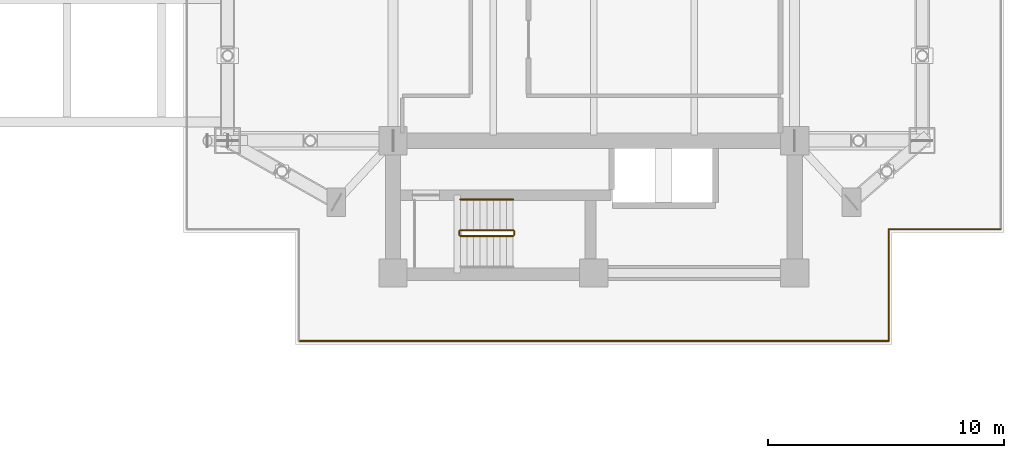
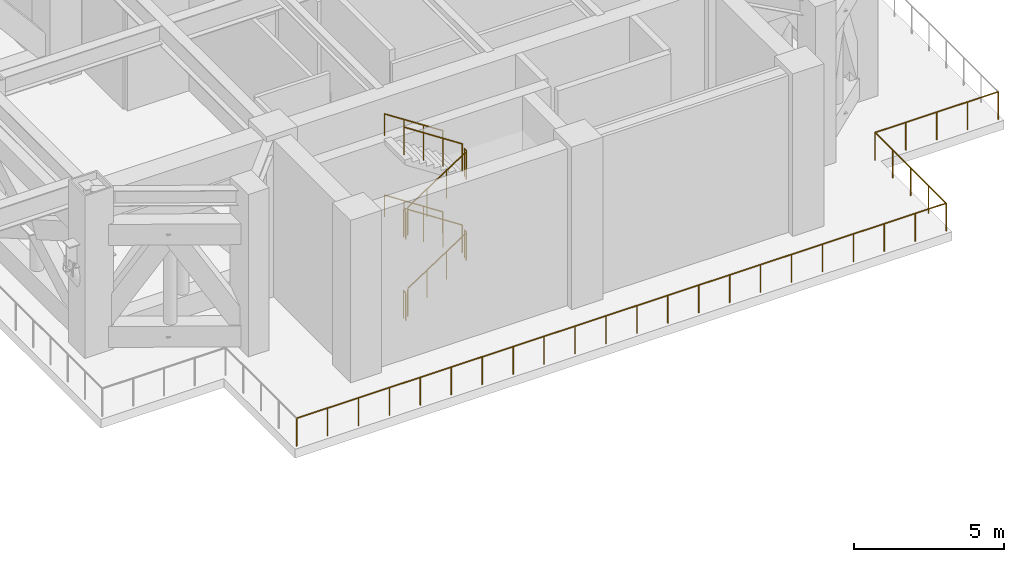
# One storey, part 19 of 21: 13 railings.
"""IFC4 building model written with IfcOpenShell, lengths in metres."""

from ifc_helpers import new_model, si_unit, direction, frame, origin, origin_2d, place, context, subcontext, project, spatial, circle, extrude, material, type_object, element, save


model = new_model("IFC4")

# Units and contexts
model_context = context("Model", 3, precision=1e-05, world=origin(), true_north=direction((0.0, 1.0)))
body_context = subcontext(model_context, "Body", "Model", "MODEL_VIEW")
ifc_project = project(units=[si_unit("LENGTHUNIT", "METRE"), si_unit("AREAUNIT", "SQUARE_METRE"), si_unit("VOLUMEUNIT", "CUBIC_METRE"), si_unit("PLANEANGLEUNIT", "RADIAN"), si_unit("MASSUNIT", "GRAM", prefix="KILO")], contexts=[model_context])

# Site, building, storey
site_placement = place(None, origin())
site = spatial("IfcSite", under=ifc_project, at=site_placement, CompositionType="ELEMENT")
building_placement = place(site_placement, origin())
building = spatial("IfcBuilding", under=site, at=building_placement, Name="Mirazonda Arch Towers", CompositionType="ELEMENT")
storey_placement = place(building_placement, frame((0.0, 0.0, 81.800048828125)))
storey = spatial("IfcBuildingStorey", under=building, at=storey_placement, Name="L23", CompositionType="ELEMENT", Elevation=81.800048828125)

# Railings
ifc_material = material(Name="Architectural Brushed Steel S355", Category="steel")
railing_type_1 = type_object("IfcRailingType", Name="GUARD-EXT-1150", PredefinedType="GUARDRAIL", material=ifc_material)
railing_1_placement = place(storey_placement, frame((64.013916015625, 12.322509765625, 0.0)))
element("IfcRailing", 1, at=railing_1_placement, inside=storey, type_object=railing_type_1, Name="L23 T2 Open Wind-Portal Perimeter Guard 01", PredefinedType="GUARDRAIL", context=body_context, shape_type="SweptSolid", body=[
    extrude(circle(Radius=0.02392578125, at=origin_2d()), frame((0.0, 0.0, 1.1259765625), z_axis=(1.0, 0.0, 0.0), x_axis=(0.0, 1.0, 0.0)), (0.0, 0.0, 1.0), 24.97216796875),
    extrude(circle(Radius=0.02099609375, at=origin_2d()), origin(), (0.0, 0.0, 1.0), 1.101806640625),
    extrude(circle(Radius=0.02099609375, at=origin_2d()), frame((1.189208984375, 0.0, 0.0)), (0.0, 0.0, 1.0), 1.101806640625),
    extrude(circle(Radius=0.02099609375, at=origin_2d()), frame((2.37841796875, 0.0, 0.0)), (0.0, 0.0, 1.0), 1.101806640625),
    extrude(circle(Radius=0.02099609375, at=origin_2d()), frame((3.5673828125, 0.0, 0.0)), (0.0, 0.0, 1.0), 1.101806640625),
    extrude(circle(Radius=0.02099609375, at=origin_2d()), frame((4.756591796875, 0.0, 0.0)), (0.0, 0.0, 1.0), 1.101806640625),
    extrude(circle(Radius=0.02099609375, at=origin_2d()), frame((5.94580078125, 0.0, 0.0)), (0.0, 0.0, 1.0), 1.101806640625),
    extrude(circle(Radius=0.02099609375, at=origin_2d()), frame((7.135009765625, 0.0, 0.0)), (0.0, 0.0, 1.0), 1.101806640625),
    extrude(circle(Radius=0.02099609375, at=origin_2d()), frame((8.323974609375, 0.0, 0.0)), (0.0, 0.0, 1.0), 1.101806640625),
    extrude(circle(Radius=0.02099609375, at=origin_2d()), frame((9.51318359375, 0.0, 0.0)), (0.0, 0.0, 1.0), 1.101806640625),
    extrude(circle(Radius=0.02099609375, at=origin_2d()), frame((10.702392578125, 0.0, 0.0)), (0.0, 0.0, 1.0), 1.101806640625),
    extrude(circle(Radius=0.02099609375, at=origin_2d()), frame((11.8916015625, 0.0, 0.0)), (0.0, 0.0, 1.0), 1.101806640625),
    extrude(circle(Radius=0.02099609375, at=origin_2d()), frame((13.08056640625, 0.0, 0.0)), (0.0, 0.0, 1.0), 1.101806640625),
    extrude(circle(Radius=0.02099609375, at=origin_2d()), frame((14.269775390625, 0.0, 0.0)), (0.0, 0.0, 1.0), 1.101806640625),
    extrude(circle(Radius=0.02099609375, at=origin_2d()), frame((15.458984375, 0.0, 0.0)), (0.0, 0.0, 1.0), 1.101806640625),
    extrude(circle(Radius=0.02099609375, at=origin_2d()), frame((16.648193359375, 0.0, 0.0)), (0.0, 0.0, 1.0), 1.101806640625),
    extrude(circle(Radius=0.02099609375, at=origin_2d()), frame((17.837158203125, 0.0, 0.0)), (0.0, 0.0, 1.0), 1.101806640625),
    extrude(circle(Radius=0.02099609375, at=origin_2d()), frame((19.0263671875, 0.0, 0.0)), (0.0, 0.0, 1.0), 1.101806640625),
    extrude(circle(Radius=0.02099609375, at=origin_2d()), frame((20.215576171875, 0.0, 0.0)), (0.0, 0.0, 1.0), 1.101806640625),
    extrude(circle(Radius=0.02099609375, at=origin_2d()), frame((21.40478515625, 0.0, 0.0)), (0.0, 0.0, 1.0), 1.101806640625),
    extrude(circle(Radius=0.02099609375, at=origin_2d()), frame((22.59375, 0.0, 0.0)), (0.0, 0.0, 1.0), 1.101806640625),
    extrude(circle(Radius=0.02099609375, at=origin_2d()), frame((23.782958984375, 0.0, 0.0)), (0.0, 0.0, 1.0), 1.101806640625),
    extrude(circle(Radius=0.02099609375, at=origin_2d()), frame((24.97216796875, 0.0, 0.0)), (0.0, 0.0, 1.0), 1.101806640625),
])
railing_2_placement = place(storey_placement, frame((88.986083984375, 12.322509765625, 0.0)))
element("IfcRailing", 2, at=railing_2_placement, inside=storey, type_object=railing_type_1, Name="L23 T2 Open Wind-Portal Perimeter Guard 02", PredefinedType="GUARDRAIL", context=body_context, shape_type="SweptSolid", body=[
    extrude(circle(Radius=0.02392578125, at=origin_2d()), frame((0.0, 0.0, 1.1259765625), z_axis=(0.0, 1.0, 0.0), x_axis=(-1.0, 0.0, 0.0)), (0.0, 0.0, 1.0), 4.736328125),
    extrude(circle(Radius=0.02099609375, at=origin_2d()), origin(), (0.0, 0.0, 1.0), 1.101806640625),
    extrude(circle(Radius=0.02099609375, at=origin_2d()), frame((0.0, 1.18408203125, 0.0)), (0.0, 0.0, 1.0), 1.101806640625),
    extrude(circle(Radius=0.02099609375, at=origin_2d()), frame((0.0, 2.3681640625, 0.0)), (0.0, 0.0, 1.0), 1.101806640625),
    extrude(circle(Radius=0.02099609375, at=origin_2d()), frame((0.0, 3.55224609375, 0.0)), (0.0, 0.0, 1.0), 1.101806640625),
    extrude(circle(Radius=0.02099609375, at=origin_2d()), frame((0.0, 4.736328125, 0.0)), (0.0, 0.0, 1.0), 1.101806640625),
])
railing_3_placement = place(storey_placement, frame((88.986083984375, 17.058837890625, 0.0)))
element("IfcRailing", 3, at=railing_3_placement, inside=storey, type_object=railing_type_1, Name="L23 T2 Open Wind-Portal Perimeter Guard 03", PredefinedType="GUARDRAIL", context=body_context, shape_type="SweptSolid", body=[
    extrude(circle(Radius=0.02392578125, at=origin_2d()), frame((0.0, 0.0, 1.1259765625), z_axis=(1.0, 0.0, 0.0), x_axis=(0.0, 1.0, 0.0)), (0.0, 0.0, 1.0), 4.736328125),
    extrude(circle(Radius=0.02099609375, at=origin_2d()), origin(), (0.0, 0.0, 1.0), 1.101806640625),
    extrude(circle(Radius=0.02099609375, at=origin_2d()), frame((1.18408203125, 0.0, 0.0)), (0.0, 0.0, 1.0), 1.101806640625),
    extrude(circle(Radius=0.02099609375, at=origin_2d()), frame((2.3681640625, 0.0, 0.0)), (0.0, 0.0, 1.0), 1.101806640625),
    extrude(circle(Radius=0.02099609375, at=origin_2d()), frame((3.55224609375, 0.0, 0.0)), (0.0, 0.0, 1.0), 1.101806640625),
    extrude(circle(Radius=0.02099609375, at=origin_2d()), frame((4.736328125, 0.0, 0.0)), (0.0, 0.0, 1.0), 1.101806640625),
])
railing_type_2 = type_object("IfcRailingType", Name="GUARD-STAIR-1120", PredefinedType="GUARDRAIL", material=ifc_material)
railing_4_placement = place(storey_placement, frame((70.85009765625, 16.77001953125, 0.183349609375)))
element("IfcRailing", 4, at=railing_4_placement, inside=storey, type_object=railing_type_2, Name="L23 ST-T2S stair guard 1", PredefinedType="GUARDRAIL", context=body_context, shape_type="SweptSolid", body=[
    extrude(circle(Radius=0.02392578125, at=origin_2d()), frame((0.0, 0.0, 1.1259765625), z_axis=(0.836636935527, 0.0, 0.547757827979), x_axis=(0.0, 1.0, 0.0)), (0.0, 0.0, 1.0), 2.677490234375),
    extrude(circle(Radius=0.02099609375, at=origin_2d()), origin(), (0.0, 0.0, 1.0), 1.101806640625),
    extrude(circle(Radius=0.02099609375, at=origin_2d()), frame((0.74658203125, 0.0, 0.48876953125)), (0.0, 0.0, 1.0), 1.101806640625),
    extrude(circle(Radius=0.02099609375, at=origin_2d()), frame((1.493408203125, 0.0, 0.977783203125)), (0.0, 0.0, 1.0), 1.101806640625),
    extrude(circle(Radius=0.02099609375, at=origin_2d()), frame((2.239990234375, 0.0, 1.466552734375)), (0.0, 0.0, 1.0), 1.101806640625),
])
railing_5_placement = place(storey_placement, frame((73.139892578125, 16.820068359375, 1.64990234375)))
element("IfcRailing", 5, at=railing_5_placement, inside=storey, type_object=railing_type_2, Name="L23 ST-T2S stair guard 2", PredefinedType="GUARDRAIL", context=body_context, shape_type="SweptSolid", body=[
    extrude(circle(Radius=0.02392578125, at=origin_2d()), frame((0.0, 0.0, 1.1259765625), z_axis=(0.0, 1.0, 0.0), x_axis=(-1.0, 0.0, 0.0)), (0.0, 0.0, 1.0), 0.139892578125),
    extrude(circle(Radius=0.02099609375, at=origin_2d()), origin(), (0.0, 0.0, 1.0), 1.101806640625),
    extrude(circle(Radius=0.02099609375, at=origin_2d()), frame((0.0, 0.139892578125, 0.0)), (0.0, 0.0, 1.0), 1.101806640625),
])
railing_6_placement = place(storey_placement, frame((73.090087890625, 17.010009765625, 1.833251953125)))
element("IfcRailing", 6, at=railing_6_placement, inside=storey, type_object=railing_type_2, Name="L23 ST-T2S stair guard 3", PredefinedType="GUARDRAIL", context=body_context, shape_type="SweptSolid", body=[
    extrude(circle(Radius=0.02392578125, at=origin_2d()), frame((0.0, 0.0, 1.1259765625), z_axis=(-0.836595146698, 0.0, 0.547821650285), x_axis=(0.0, -1.0, 0.0)), (0.0, 0.0, 1.0), 2.677490234375),
    extrude(circle(Radius=0.02099609375, at=origin_2d()), origin(), (0.0, 0.0, 1.0), 1.101806640625),
    extrude(circle(Radius=0.02099609375, at=origin_2d()), frame((-0.74658203125, 0.0, 0.489013671875)), (0.0, 0.0, 1.0), 1.101806640625),
    extrude(circle(Radius=0.02099609375, at=origin_2d()), frame((-1.493408203125, 0.0, 0.977783203125)), (0.0, 0.0, 1.0), 1.101806640625),
    extrude(circle(Radius=0.02099609375, at=origin_2d()), frame((-2.239990234375, 0.0, 1.466796875)), (0.0, 0.0, 1.0), 1.101806640625),
])
railing_7_placement = place(storey_placement, frame((70.800048828125, 16.820068359375, 3.300048828125)))
element("IfcRailing", 7, at=railing_7_placement, inside=storey, type_object=railing_type_2, Name="L23 ST-T2S stair guard 4", PredefinedType="GUARDRAIL", context=body_context, shape_type="SweptSolid", body=[
    extrude(circle(Radius=0.02392578125, at=origin_2d()), frame((0.0, 0.0, 1.1259765625), z_axis=(0.0, 1.0, 0.0), x_axis=(-1.0, 0.0, 0.0)), (0.0, 0.0, 1.0), 0.139892578125),
    extrude(circle(Radius=0.02099609375, at=origin_2d()), origin(), (0.0, 0.0, 1.0), 1.101806640625),
    extrude(circle(Radius=0.02099609375, at=origin_2d()), frame((0.0, 0.139892578125, 0.0)), (0.0, 0.0, 1.0), 1.101806640625),
])
railing_8_placement = place(storey_placement, frame((70.85009765625, 16.77001953125, 3.4833984375)))
element("IfcRailing", 8, at=railing_8_placement, inside=storey, type_object=railing_type_2, Name="L23 ST-T2S stair guard 5", PredefinedType="GUARDRAIL", context=body_context, shape_type="SweptSolid", body=[
    extrude(circle(Radius=0.02392578125, at=origin_2d()), frame((0.0, 0.0, 1.1259765625), z_axis=(0.836636935527, 0.0, 0.547757827979), x_axis=(0.0, 1.0, 0.0)), (0.0, 0.0, 1.0), 2.677490234375),
    extrude(circle(Radius=0.02099609375, at=origin_2d()), origin(), (0.0, 0.0, 1.0), 1.101806640625),
    extrude(circle(Radius=0.02099609375, at=origin_2d()), frame((0.74658203125, 0.0, 0.48876953125)), (0.0, 0.0, 1.0), 1.101806640625),
    extrude(circle(Radius=0.02099609375, at=origin_2d()), frame((1.493408203125, 0.0, 0.977783203125)), (0.0, 0.0, 1.0), 1.101806640625),
    extrude(circle(Radius=0.02099609375, at=origin_2d()), frame((2.239990234375, 0.0, 1.466552734375)), (0.0, 0.0, 1.0), 1.101806640625),
])
railing_9_placement = place(storey_placement, frame((73.139892578125, 16.820068359375, 4.949951171875)))
element("IfcRailing", 9, at=railing_9_placement, inside=storey, type_object=railing_type_2, Name="L23 ST-T2S stair guard 6", PredefinedType="GUARDRAIL", context=body_context, shape_type="SweptSolid", body=[
    extrude(circle(Radius=0.02392578125, at=origin_2d()), frame((0.0, 0.0, 1.1259765625), z_axis=(0.0, 1.0, 0.0), x_axis=(-1.0, 0.0, 0.0)), (0.0, 0.0, 1.0), 0.139892578125),
    extrude(circle(Radius=0.02099609375, at=origin_2d()), origin(), (0.0, 0.0, 1.0), 1.101806640625),
    extrude(circle(Radius=0.02099609375, at=origin_2d()), frame((0.0, 0.139892578125, 0.0)), (0.0, 0.0, 1.0), 1.101806640625),
])
railing_10_placement = place(storey_placement, frame((73.090087890625, 17.010009765625, 5.13330078125)))
element("IfcRailing", 10, at=railing_10_placement, inside=storey, type_object=railing_type_2, Name="L23 ST-T2S stair guard 7", PredefinedType="GUARDRAIL", context=body_context, shape_type="SweptSolid", body=[
    extrude(circle(Radius=0.02392578125, at=origin_2d()), frame((0.0, 0.0, 1.1259765625), z_axis=(-0.836636935527, 0.0, 0.547757827979), x_axis=(0.0, -1.0, 0.0)), (0.0, 0.0, 1.0), 2.677490234375),
    extrude(circle(Radius=0.02099609375, at=origin_2d()), origin(), (0.0, 0.0, 1.0), 1.101806640625),
    extrude(circle(Radius=0.02099609375, at=origin_2d()), frame((-0.74658203125, 0.0, 0.48876953125)), (0.0, 0.0, 1.0), 1.101806640625),
    extrude(circle(Radius=0.02099609375, at=origin_2d()), frame((-1.493408203125, 0.0, 0.977783203125)), (0.0, 0.0, 1.0), 1.101806640625),
    extrude(circle(Radius=0.02099609375, at=origin_2d()), frame((-2.239990234375, 0.0, 1.466552734375)), (0.0, 0.0, 1.0), 1.101806640625),
])
railing_11_placement = place(storey_placement, frame((70.800048828125, 16.820068359375, 0.0)))
element("IfcRailing", 11, at=railing_11_placement, inside=storey, type_object=railing_type_2, Name="L23 ST-T2S stair guard 8", PredefinedType="GUARDRAIL", context=body_context, shape_type="SweptSolid", body=[
    extrude(circle(Radius=0.02392578125, at=origin_2d()), frame((0.0, 0.0, 1.1259765625), z_axis=(0.0, 1.0, 0.0), x_axis=(-1.0, 0.0, 0.0)), (0.0, 0.0, 1.0), 0.139892578125),
    extrude(circle(Radius=0.02099609375, at=origin_2d()), origin(), (0.0, 0.0, 1.0), 1.101806640625),
    extrude(circle(Radius=0.02099609375, at=origin_2d()), frame((0.0, 0.139892578125, 0.0)), (0.0, 0.0, 1.0), 1.101806640625),
])
railing_type_3 = type_object("IfcRailingType", Name="HANDRAIL-915", PredefinedType="HANDRAIL", material=ifc_material)
railing_12_placement = place(storey_placement, frame((73.090087890625, 18.31005859375, 1.833251953125)))
element("IfcRailing", 12, at=railing_12_placement, inside=storey, type_object=railing_type_3, Name="L23 ST-T2S stair handrail 2", PredefinedType="HANDRAIL", context=body_context, shape_type="SweptSolid", body=[
    extrude(circle(Radius=0.02392578125, at=origin_2d()), frame((0.0, 0.0, 0.8759765625), z_axis=(-0.836595146698, 0.0, 0.547821650285), x_axis=(0.0, -1.0, 0.0)), (0.0, 0.0, 1.0), 2.677490234375),
    extrude(circle(Radius=0.02099609375, at=origin_2d()), origin(), (0.0, 0.0, 1.0), 0.851806640625),
    extrude(circle(Radius=0.02099609375, at=origin_2d()), frame((-0.74658203125, 0.0, 0.489013671875)), (0.0, 0.0, 1.0), 0.851806640625),
    extrude(circle(Radius=0.02099609375, at=origin_2d()), frame((-1.493408203125, 0.0, 0.977783203125)), (0.0, 0.0, 1.0), 0.851806640625),
    extrude(circle(Radius=0.02099609375, at=origin_2d()), frame((-2.239990234375, 0.0, 1.466796875)), (0.0, 0.0, 1.0), 0.851806640625),
])
railing_13_placement = place(storey_placement, frame((73.090087890625, 18.31005859375, 5.13330078125)))
element("IfcRailing", 13, at=railing_13_placement, inside=storey, type_object=railing_type_3, Name="L23 ST-T2S stair handrail 4", PredefinedType="HANDRAIL", context=body_context, shape_type="SweptSolid", body=[
    extrude(circle(Radius=0.02392578125, at=origin_2d()), frame((0.0, 0.0, 0.8759765625), z_axis=(-0.836636935527, 0.0, 0.547757827979), x_axis=(0.0, -1.0, 0.0)), (0.0, 0.0, 1.0), 2.677490234375),
    extrude(circle(Radius=0.02099609375, at=origin_2d()), origin(), (0.0, 0.0, 1.0), 0.851806640625),
    extrude(circle(Radius=0.02099609375, at=origin_2d()), frame((-0.74658203125, 0.0, 0.48876953125)), (0.0, 0.0, 1.0), 0.851806640625),
    extrude(circle(Radius=0.02099609375, at=origin_2d()), frame((-1.493408203125, 0.0, 0.977783203125)), (0.0, 0.0, 1.0), 0.851806640625),
    extrude(circle(Radius=0.02099609375, at=origin_2d()), frame((-2.239990234375, 0.0, 1.466552734375)), (0.0, 0.0, 1.0), 0.851806640625),
])

save(model, "model.ifc")
